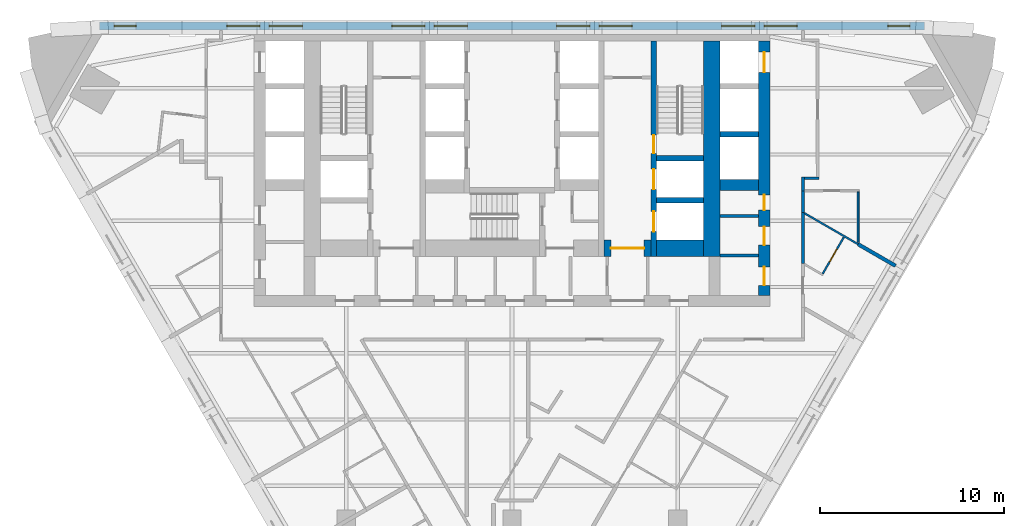
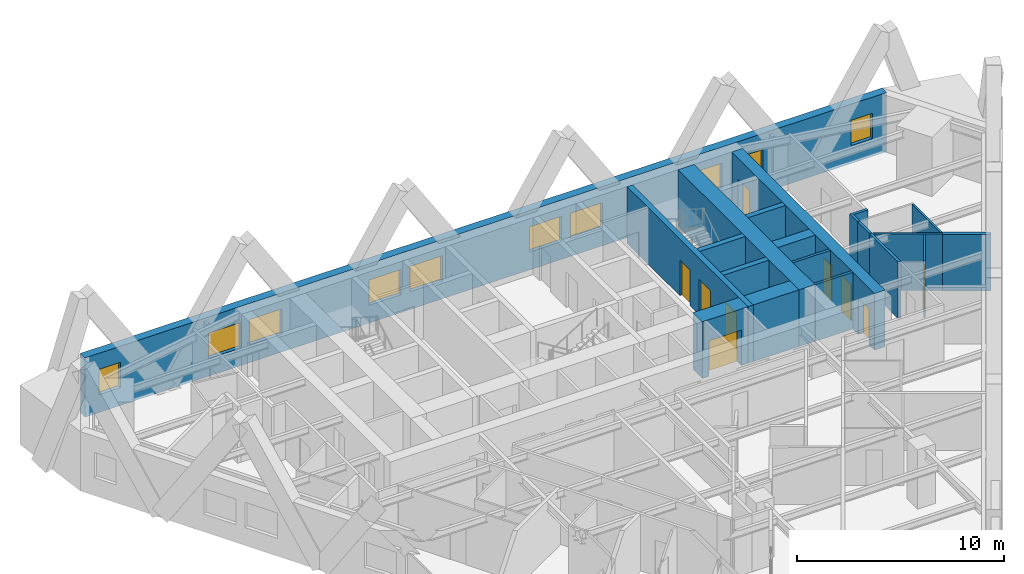
# One storey, part 9 of 12: 20 walls, 10 windows, 9 doors, 19 openings.
"""IFC4 building model written with IfcOpenShell, lengths in metres."""

from ifc_helpers import new_model, si_unit, direction, frame, frame_2d, origin, place, context, subcontext, project, spatial, polyline, rectangle, outline, extrude, material, layer, layer_set, type_object, element, fill, save


model = new_model("IFC4")

# Units and contexts
model_context = context("Model", 3, precision=1e-05, world=origin(), true_north=direction((0.0, 1.0)))
body_context = subcontext(model_context, "Body", "Model", "MODEL_VIEW")
ifc_project = project(units=[si_unit("LENGTHUNIT", "METRE"), si_unit("AREAUNIT", "SQUARE_METRE"), si_unit("VOLUMEUNIT", "CUBIC_METRE"), si_unit("PLANEANGLEUNIT", "RADIAN"), si_unit("MASSUNIT", "GRAM", prefix="KILO")], contexts=[model_context])

# Site, building, storey
site_placement = place(None, origin())
site = spatial("IfcSite", under=ifc_project, at=site_placement, CompositionType="ELEMENT")
building_placement = place(site_placement, origin())
building = spatial("IfcBuilding", under=site, at=building_placement, Name="Aloe Facet Convention Tower", CompositionType="ELEMENT")
storey_placement = place(building_placement, frame((0.0, 0.0, 70.0)))
storey = spatial("IfcBuildingStorey", under=building, at=storey_placement, Name="L16", CompositionType="ELEMENT", Elevation=70.0)

# Walls
ifc_material_1 = material(Name="Concrete blockwork partition", Category="masonry")
ifc_layer_1 = layer(ifc_material_1, 0.14990234375)
ifc_layer_set_1 = layer_set([ifc_layer_1], Name="CR-W-PART150")
wall_type_1 = type_object("IfcWallType", Name="CR-W-PART150", PredefinedType="PARTITIONING", material=ifc_layer_set_1)
for number, where, z_axis, x_axis, name in (
    (1, (91.300048828125, 124.44873046875, 0.0), (0.0, 0.0, 1.0), (1.0, 0.0, 0.0), "Core partition L16-051"),
    (2, (91.300048828125, 122.309326171875, 0.0), (0.0, 0.0, 1.0), (1.0, 0.0, 0.0), "Core partition L16-052"),
):
    element("IfcWall", number, at=place(storey_placement, frame(where, z_axis=z_axis, x_axis=x_axis)), inside=storey, type_object=wall_type_1, Name=name, PredefinedType="PARTITIONING", context=body_context, shape_type="SweptSolid", body=[
        extrude(rectangle(XDim=2.099853515625, YDim=0.14990234375, at=frame_2d((1.0498046875, 0.0))), origin(), (0.0, 0.0, 1.0), 3.35009765625),
    ])

# Wall, openings, doors
ifc_material_2 = material(Name="Concrete C80/95", Category="concrete")
ifc_layer_2 = layer(ifc_material_2, 0.300048828125)
ifc_layer_set_2 = layer_set([ifc_layer_2], Name="CR-W-RC300-C8095")
wall_type_2 = type_object("IfcWallType", Name="CR-W-RC300-C8095", PredefinedType="SOLIDWALL", material=ifc_layer_set_2)
wall_1_placement = place(storey_placement, frame((87.699951171875, 133.949951171875, 0.0), z_axis=(0.0, 0.0, 1.0), x_axis=(0.0, -1.0, 0.0)))
wall_1 = element("IfcWall", 3, at=wall_1_placement, inside=storey, type_object=wall_type_2, Name="Core wall L16-042", PredefinedType="SOLIDWALL", context=body_context, shape_type="SweptSolid", body=[
    extrude(rectangle(XDim=11.699951171875, YDim=0.300048828125, at=frame_2d((5.85009765625, 0.0))), origin(), (0.0, 0.0, 1.0), 3.35009765625),
])
opening_1_placement = place(wall_1_placement, frame((6.949951171875, 0.0, 0.0)))
opening_1 = element("IfcOpeningElement", 4, at=opening_1_placement, cuts=wall_1, Name="Opening LD-FF2-L16", PredefinedType="OPENING", context=body_context, shape_type="SweptSolid", body=[
    extrude(rectangle(XDim=1.10009765625, YDim=2.10009765625, at=frame_2d((0.550048828125, 1.050048828125))), frame((0.0, 0.16015625, 0.0), z_axis=(0.0, -1.0, 0.0), x_axis=(1.0, 0.0, 0.0)), (0.0, 0.0, 1.0), 0.320068359375),
])
opening_2_placement = place(wall_1_placement, frame((5.10009765625, 0.0, 0.0)))
opening_2 = element("IfcOpeningElement", 5, at=opening_2_placement, cuts=wall_1, Name="Opening L16-CD31", PredefinedType="OPENING", context=body_context, shape_type="SweptSolid", body=[
    extrude(rectangle(XDim=1.0, YDim=2.10009765625, at=frame_2d((0.5, 1.050048828125))), frame((0.0, 0.16015625, 0.0), z_axis=(0.0, -1.0, 0.0), x_axis=(1.0, 0.0, 0.0)), (0.0, 0.0, 1.0), 0.320068359375),
])
opening_3_placement = place(wall_1_placement, frame((9.25, 0.0, 0.0)))
opening_3 = element("IfcOpeningElement", 6, at=opening_3_placement, cuts=wall_1, Name="Opening LD-SV1-L16", PredefinedType="OPENING", context=body_context, shape_type="SweptSolid", body=[
    extrude(rectangle(XDim=1.10009765625, YDim=2.10009765625, at=frame_2d((0.550048828125, 1.050048828125))), frame((0.0, 0.16015625, 0.0), z_axis=(0.0, -1.0, 0.0), x_axis=(1.0, 0.0, 0.0)), (0.0, 0.0, 1.0), 0.320068359375),
])
ifc_material_3 = material(Name="Steel fire-resisting door set FD120", Category="steel")
door_type_1 = type_object("IfcDoorType", Name="CR-D-STAIR-1000-FD120-SLEFT", OperationType="SINGLE_SWING_LEFT", PredefinedType="DOOR", material=ifc_material_3)
door_1_placement = place(opening_2_placement, origin())
door_1 = element("IfcDoor", 7, at=door_1_placement, inside=storey, type_object=door_type_1, Name="Core door L16-CD31", OperationType="SINGLE_SWING_LEFT", OverallHeight=2.10009765625, OverallWidth=1.0, PredefinedType="DOOR", context=body_context, shape_type="SweptSolid", body=[
    extrude(rectangle(XDim=1.0, YDim=2.10009765625, at=frame_2d((0.5, 1.050048828125))), frame((0.0, 0.02490234375, 0.0), z_axis=(0.0, -1.0, 0.0), x_axis=(1.0, 0.0, 0.0)), (0.0, 0.0, 1.0), 0.050048828125),
])
fill(opening_2, door_1)
ifc_material_4 = material(Name="Stainless steel sliding landing door", Category="steel")
door_type_2 = type_object("IfcDoorType", Name="CR-LD-1100-FD120-_LEFT", OperationType="SLIDING_TO_LEFT", PredefinedType="DOOR", material=ifc_material_4)
door_2_placement = place(opening_1_placement, origin())
door_2 = element("IfcDoor", 8, at=door_2_placement, inside=storey, type_object=door_type_2, Name="Landing door FF2 L16", OperationType="SLIDING_TO_LEFT", OverallHeight=2.10009765625, OverallWidth=1.10009765625, PredefinedType="DOOR", context=body_context, shape_type="SweptSolid", body=[
    extrude(rectangle(XDim=1.10009765625, YDim=2.10009765625, at=frame_2d((0.550048828125, 1.050048828125))), frame((0.0, 0.02490234375, 0.0), z_axis=(0.0, -1.0, 0.0), x_axis=(1.0, 0.0, 0.0)), (0.0, 0.0, 1.0), 0.050048828125),
])
fill(opening_1, door_2)
door_3_placement = place(opening_3_placement, origin())
door_3 = element("IfcDoor", 9, at=door_3_placement, inside=storey, type_object=door_type_2, Name="Landing door SV1 L16", OperationType="SLIDING_TO_LEFT", OverallHeight=2.10009765625, OverallWidth=1.10009765625, PredefinedType="DOOR", context=body_context, shape_type="SweptSolid", body=[
    extrude(rectangle(XDim=1.10009765625, YDim=2.10009765625, at=frame_2d((0.550048828125, 1.050048828125))), frame((0.0, 0.02490234375, 0.0), z_axis=(0.0, -1.0, 0.0), x_axis=(1.0, 0.0, 0.0)), (0.0, 0.0, 1.0), 0.050048828125),
])
fill(opening_3, door_3)

# Walls
for number, where, z_axis, x_axis, name in (
    (10, (87.85009765625, 127.60009765625, 0.0), (0.0, 0.0, 1.0), (1.0, 0.0, 0.0), "Core wall L16-043"),
    (11, (87.85009765625, 125.300048828125, 0.0), (0.0, 0.0, 1.0), (1.0, 0.0, 0.0), "Core wall L16-044"),
):
    element("IfcWall", number, at=place(storey_placement, frame(where, z_axis=z_axis, x_axis=x_axis)), inside=storey, type_object=wall_type_2, Name=name, PredefinedType="SOLIDWALL", context=body_context, shape_type="SweptSolid", body=[
        extrude(rectangle(XDim=2.5498046875, YDim=0.300048828125, at=frame_2d((1.27490234375, 0.0))), origin(), (0.0, 0.0, 1.0), 3.35009765625),
    ])
wall_2_placement = place(storey_placement, frame((91.300048828125, 128.89990234375, 0.0), z_axis=(0.0, 0.0, 1.0), x_axis=(1.0, 0.0, 0.0)))
element("IfcWall", 12, at=wall_2_placement, inside=storey, type_object=wall_type_2, Name="Core wall L16-049", PredefinedType="SOLIDWALL", context=body_context, shape_type="SweptSolid", body=[
    extrude(rectangle(XDim=2.099853515625, YDim=0.300048828125, at=frame_2d((1.0498046875, 0.0))), origin(), (0.0, 0.0, 1.0), 3.35009765625),
])
ifc_material_5 = material(Name="Concrete C80/95", Category="concrete")
ifc_layer_3 = layer(ifc_material_5, 0.60009765625)
ifc_layer_set_3 = layer_set([ifc_layer_3], Name="CR-W-RC600-C8095")
wall_type_3 = type_object("IfcWallType", Name="CR-W-RC600-C8095", PredefinedType="SOLIDWALL", material=ifc_layer_set_3)
wall_3_placement = place(storey_placement, frame((91.300048828125, 126.14990234375, 0.0), z_axis=(0.0, 0.0, 1.0), x_axis=(1.0, 0.0, 0.0)))
element("IfcWall", 13, at=wall_3_placement, inside=storey, type_object=wall_type_3, Name="Core wall L16-050", PredefinedType="SOLIDWALL", context=body_context, shape_type="SweptSolid", body=[
    extrude(rectangle(XDim=2.099853515625, YDim=0.60009765625, at=frame_2d((1.0498046875, 0.0))), origin(), (0.0, 0.0, 1.0), 3.35009765625),
])

# Wall, openings, doors
wall_4_placement = place(storey_placement, frame((93.699951171875, 133.949951171875, 0.0), z_axis=(0.0, 0.0, 1.0), x_axis=(0.0, -1.0, 0.0)))
wall_4 = element("IfcWall", 14, at=wall_4_placement, inside=storey, type_object=wall_type_3, Name="Core wall L16-053", PredefinedType="SOLIDWALL", context=body_context, shape_type="SweptSolid", body=[
    extrude(rectangle(XDim=13.800048828125, YDim=0.60009765625, at=frame_2d((6.89990234375, 0.0))), origin(), (0.0, 0.0, 1.0), 3.35009765625),
])
opening_4_placement = place(wall_4_placement, frame((0.60009765625, 0.0, 0.0)))
opening_4 = element("IfcOpeningElement", 15, at=opening_4_placement, cuts=wall_4, Name="Opening LD-A8-L16", PredefinedType="OPENING", context=body_context, shape_type="SweptSolid", body=[
    extrude(rectangle(XDim=1.10009765625, YDim=2.10009765625, at=frame_2d((0.550048828125, 1.050048828125))), frame((0.0, 0.31005859375, 0.0), z_axis=(0.0, -1.0, 0.0), x_axis=(1.0, 0.0, 0.0)), (0.0, 0.0, 1.0), 0.6201171875),
])
opening_5_placement = place(wall_4_placement, frame((8.35009765625, 0.0, 0.0)))
opening_5 = element("IfcOpeningElement", 16, at=opening_5_placement, cuts=wall_4, Name="Opening L16-CD09", PredefinedType="OPENING", context=body_context, shape_type="SweptSolid", body=[
    extrude(rectangle(XDim=0.826416015625, YDim=2.10009765625, at=frame_2d((0.4130859375, 1.050048828125))), frame((0.0, 0.31005859375, 0.0), z_axis=(0.0, -1.0, 0.0), x_axis=(1.0, 0.0, 0.0)), (0.0, 0.0, 1.0), 0.6201171875),
])
opening_6_placement = place(wall_4_placement, frame((10.071044921875, 0.0, 0.0)))
opening_6 = element("IfcOpeningElement", 17, at=opening_6_placement, cuts=wall_4, Name="Opening L16-CD10", PredefinedType="OPENING", context=body_context, shape_type="SweptSolid", body=[
    extrude(rectangle(XDim=1.0, YDim=2.10009765625, at=frame_2d((0.5, 1.050048828125))), frame((0.0, 0.31005859375, 0.0), z_axis=(0.0, -1.0, 0.0), x_axis=(1.0, 0.0, 0.0)), (0.0, 0.0, 1.0), 0.6201171875),
])
opening_7_placement = place(wall_4_placement, frame((12.2578125, 0.0, 0.0)))
opening_7 = element("IfcOpeningElement", 18, at=opening_7_placement, cuts=wall_4, Name="Opening L16-CD11", PredefinedType="OPENING", context=body_context, shape_type="SweptSolid", body=[
    extrude(rectangle(XDim=1.0, YDim=2.10009765625, at=frame_2d((0.5, 1.050048828125))), frame((0.0, 0.31005859375, 0.0), z_axis=(0.0, -1.0, 0.0), x_axis=(1.0, 0.0, 0.0)), (0.0, 0.0, 1.0), 0.6201171875),
])
ifc_material_6 = material(Name="Steel fire-resisting door set FD60", Category="steel")
door_type_3 = type_object("IfcDoorType", Name="CR-D-ROOM-1000-FD60-SLEFT", OperationType="SINGLE_SWING_LEFT", PredefinedType="DOOR", material=ifc_material_6)
door_4_placement = place(opening_6_placement, origin())
door_4 = element("IfcDoor", 19, at=door_4_placement, inside=storey, type_object=door_type_3, Name="Core door L16-CD10", OperationType="SINGLE_SWING_LEFT", OverallHeight=2.10009765625, OverallWidth=1.0, PredefinedType="DOOR", context=body_context, shape_type="SweptSolid", body=[
    extrude(rectangle(XDim=1.0, YDim=2.10009765625, at=frame_2d((0.5, 1.050048828125))), frame((0.0, 0.02490234375, 0.0), z_axis=(0.0, -1.0, 0.0), x_axis=(1.0, 0.0, 0.0)), (0.0, 0.0, 1.0), 0.050048828125),
])
fill(opening_6, door_4)
door_5_placement = place(opening_7_placement, origin())
door_5 = element("IfcDoor", 20, at=door_5_placement, inside=storey, type_object=door_type_3, Name="Core door L16-CD11", OperationType="SINGLE_SWING_LEFT", OverallHeight=2.10009765625, OverallWidth=1.0, PredefinedType="DOOR", context=body_context, shape_type="SweptSolid", body=[
    extrude(rectangle(XDim=1.0, YDim=2.10009765625, at=frame_2d((0.5, 1.050048828125))), frame((0.0, 0.02490234375, 0.0), z_axis=(0.0, -1.0, 0.0), x_axis=(1.0, 0.0, 0.0)), (0.0, 0.0, 1.0), 0.050048828125),
])
fill(opening_7, door_5)
ifc_material_7 = material(Name="Steel fire-resisting door set FD60", Category="steel")
door_type_4 = type_object("IfcDoorType", Name="CR-D-ROOM-826-FD60-SLEFT", OperationType="SINGLE_SWING_LEFT", PredefinedType="DOOR", material=ifc_material_7)
door_6_placement = place(opening_5_placement, origin())
door_6 = element("IfcDoor", 21, at=door_6_placement, inside=storey, type_object=door_type_4, Name="Core door L16-CD09", OperationType="SINGLE_SWING_LEFT", OverallHeight=2.10009765625, OverallWidth=0.826416015625, PredefinedType="DOOR", context=body_context, shape_type="SweptSolid", body=[
    extrude(rectangle(XDim=0.826416015625, YDim=2.10009765625, at=frame_2d((0.4130859375, 1.050048828125))), frame((0.0, 0.02490234375, 0.0), z_axis=(0.0, -1.0, 0.0), x_axis=(1.0, 0.0, 0.0)), (0.0, 0.0, 1.0), 0.050048828125),
])
fill(opening_5, door_6)
ifc_material_8 = material(Name="Stainless steel sliding landing door", Category="steel")
door_type_5 = type_object("IfcDoorType", Name="CR-LD-1100-FD60-_LEFT", OperationType="SLIDING_TO_LEFT", PredefinedType="DOOR", material=ifc_material_8)
door_7_placement = place(opening_4_placement, origin())
door_7 = element("IfcDoor", 22, at=door_7_placement, inside=storey, type_object=door_type_5, Name="Landing door A8 L16", OperationType="SLIDING_TO_LEFT", OverallHeight=2.10009765625, OverallWidth=1.10009765625, PredefinedType="DOOR", context=body_context, shape_type="SweptSolid", body=[
    extrude(rectangle(XDim=1.10009765625, YDim=2.10009765625, at=frame_2d((0.550048828125, 1.050048828125))), frame((0.0, 0.02490234375, 0.0), z_axis=(0.0, -1.0, 0.0), x_axis=(1.0, 0.0, 0.0)), (0.0, 0.0, 1.0), 0.050048828125),
])
fill(opening_4, door_7)

# Wall, opening, door
ifc_material_9 = material(Name="Concrete C80/95", Category="concrete")
ifc_layer_4 = layer(ifc_material_9, 0.89990234375)
ifc_layer_set_4 = layer_set([ifc_layer_4], Name="CR-W-RC900-C8095")
wall_type_4 = type_object("IfcWallType", Name="CR-W-RC900-C8095", PredefinedType="SOLIDWALL", material=ifc_layer_set_4)
wall_5_placement = place(storey_placement, frame((85.0, 122.699951171875, 0.0), z_axis=(0.0, 0.0, 1.0), x_axis=(1.0, 0.0, 0.0)))
wall_5 = element("IfcWall", 23, at=wall_5_placement, inside=storey, type_object=wall_type_4, Name="Core wall L16-039", PredefinedType="SOLIDWALL", context=body_context, shape_type="SweptSolid", body=[
    extrude(rectangle(XDim=2.550048828125, YDim=0.89990234375, at=frame_2d((1.27490234375, 0.0))), origin(), (0.0, 0.0, 1.0), 3.35009765625),
])
opening_8_placement = place(wall_5_placement, frame((0.375, 0.0, 0.0)))
opening_8 = element("IfcOpeningElement", 24, at=opening_8_placement, cuts=wall_5, Name="Opening L16-CD14", PredefinedType="OPENING", context=body_context, shape_type="SweptSolid", body=[
    extrude(rectangle(XDim=1.800048828125, YDim=2.10009765625, at=frame_2d((0.89990234375, 1.050048828125))), frame((0.0, 0.4599609375, 0.0), z_axis=(0.0, -1.0, 0.0), x_axis=(1.0, 0.0, 0.0)), (0.0, 0.0, 1.0), 0.919921875),
])
ifc_material_10 = material(Name="Steel fire-resisting door set FD120", Category="steel")
door_type_6 = type_object("IfcDoorType", Name="CR-D-EXIT-1800-FD120-DD", OperationType="DOUBLE_DOOR_DOUBLE_SWING", PredefinedType="DOOR", material=ifc_material_10)
door_8_placement = place(opening_8_placement, origin())
door_8 = element("IfcDoor", 25, at=door_8_placement, inside=storey, type_object=door_type_6, Name="Core door L16-CD14", OperationType="DOUBLE_DOOR_DOUBLE_SWING", OverallHeight=2.10009765625, OverallWidth=1.800048828125, PredefinedType="DOOR", context=body_context, shape_type="SweptSolid", body=[
    extrude(rectangle(XDim=1.800048828125, YDim=2.10009765625, at=frame_2d((0.89990234375, 1.050048828125))), frame((0.0, 0.02490234375, 0.0), z_axis=(0.0, -1.0, 0.0), x_axis=(1.0, 0.0, 0.0)), (0.0, 0.0, 1.0), 0.050048828125),
])
fill(opening_8, door_8)

# Walls
wall_6_placement = place(storey_placement, frame((87.85009765625, 122.699951171875, 0.0), z_axis=(0.0, 0.0, 1.0), x_axis=(1.0, 0.0, 0.0)))
element("IfcWall", 26, at=wall_6_placement, inside=storey, type_object=wall_type_4, Name="Core wall L16-045", PredefinedType="SOLIDWALL", context=body_context, shape_type="SweptSolid", body=[
    extrude(rectangle(XDim=2.5498046875, YDim=0.89990234375, at=frame_2d((1.27490234375, 0.0))), origin(), (0.0, 0.0, 1.0), 3.35009765625),
])
wall_7_placement = place(storey_placement, frame((90.85009765625, 133.949951171875, 0.0), z_axis=(0.0, 0.0, 1.0), x_axis=(0.0, -1.0, 0.0)))
element("IfcWall", 27, at=wall_7_placement, inside=storey, type_object=wall_type_4, Name="Core wall L16-046", PredefinedType="SOLIDWALL", context=body_context, shape_type="SweptSolid", body=[
    extrude(rectangle(XDim=11.699951171875, YDim=0.89990234375, at=frame_2d((5.85009765625, 0.0))), origin(), (0.0, 0.0, 1.0), 3.35009765625),
])

# Wall, openings, windows
ifc_material_11 = material(Name="Precast concrete C40/50", Category="concrete")
ifc_layer_5 = layer(ifc_material_11, 0.449951171875)
ifc_layer_set_5 = layer_set([ifc_layer_5], Name="EV-WALL-STONE")
wall_type_5 = type_object("IfcWallType", Name="EV-WALL-STONE", PredefinedType="SOLIDWALL", material=ifc_layer_set_5)
wall_8_placement = place(storey_placement, frame((102.39990234375, 134.77490234375, -0.14990234375), z_axis=(0.0, 0.0, 1.0), x_axis=(-1.0, 0.0, 0.0)))
wall_8 = element("IfcWall", 28, at=wall_8_placement, inside=storey, type_object=wall_type_5, Name="EW-L16-N01", PredefinedType="SOLIDWALL", context=body_context, shape_type="SweptSolid", body=[
    extrude(outline(polyline([(44.800048828125, 0.0), (44.800048828125, 3.5), (0.0, 3.5), (0.0, 0.0), (44.800048828125, 0.0)])), frame((0.0, 0.22509765625, 0.0), z_axis=(0.0, -1.0, 0.0), x_axis=(1.0, 0.0, 0.0)), (0.0, 0.0, 1.0), 0.449951171875),
])
opening_9_placement = place(wall_8_placement, frame((0.7861328125, 0.0, 1.050048828125)))
opening_9 = element("IfcOpeningElement", 29, at=opening_9_placement, cuts=wall_8, Name="Opening W-L16-N01", PredefinedType="OPENING", context=body_context, shape_type="SweptSolid", body=[
    extrude(rectangle(XDim=1.199951171875, YDim=1.5, at=frame_2d((0.60009765625, 0.75))), frame((0.0, 0.23486328125, 0.0), z_axis=(0.0, -1.0, 0.0), x_axis=(1.0, 0.0, 0.0)), (0.0, 0.0, 1.0), 0.469970703125),
])
opening_10_placement = place(wall_8_placement, frame((6.909912109375, 0.0, 1.050048828125)))
opening_10 = element("IfcOpeningElement", 30, at=opening_10_placement, cuts=wall_8, Name="Opening W-L16-N02", PredefinedType="OPENING", context=body_context, shape_type="SweptSolid", body=[
    extrude(rectangle(XDim=1.800048828125, YDim=1.5, at=frame_2d((0.89990234375, 0.75))), frame((0.0, 0.23486328125, 0.0), z_axis=(0.0, -1.0, 0.0), x_axis=(1.0, 0.0, 0.0)), (0.0, 0.0, 1.0), 0.469970703125),
])
opening_11_placement = place(wall_8_placement, frame((9.2099609375, 0.0, 1.050048828125)))
opening_11 = element("IfcOpeningElement", 31, at=opening_11_placement, cuts=wall_8, Name="Opening W-L16-N03", PredefinedType="OPENING", context=body_context, shape_type="SweptSolid", body=[
    extrude(rectangle(XDim=1.800048828125, YDim=1.5, at=frame_2d((0.89990234375, 0.75))), frame((0.0, 0.23486328125, 0.0), z_axis=(0.0, -1.0, 0.0), x_axis=(1.0, 0.0, 0.0)), (0.0, 0.0, 1.0), 0.469970703125),
])
opening_12_placement = place(wall_8_placement, frame((15.8701171875, 0.0, 1.050048828125)))
opening_12 = element("IfcOpeningElement", 32, at=opening_12_placement, cuts=wall_8, Name="Opening W-L16-N04", PredefinedType="OPENING", context=body_context, shape_type="SweptSolid", body=[
    extrude(rectangle(XDim=1.800048828125, YDim=1.5, at=frame_2d((0.89990234375, 0.75))), frame((0.0, 0.23486328125, 0.0), z_axis=(0.0, -1.0, 0.0), x_axis=(1.0, 0.0, 0.0)), (0.0, 0.0, 1.0), 0.469970703125),
])
opening_13_placement = place(wall_8_placement, frame((18.169921875, 0.0, 1.050048828125)))
opening_13 = element("IfcOpeningElement", 33, at=opening_13_placement, cuts=wall_8, Name="Opening W-L16-N05", PredefinedType="OPENING", context=body_context, shape_type="SweptSolid", body=[
    extrude(rectangle(XDim=1.800048828125, YDim=1.5, at=frame_2d((0.89990234375, 0.75))), frame((0.0, 0.23486328125, 0.0), z_axis=(0.0, -1.0, 0.0), x_axis=(1.0, 0.0, 0.0)), (0.0, 0.0, 1.0), 0.469970703125),
])
opening_14_placement = place(wall_8_placement, frame((24.830078125, 0.0, 1.050048828125)))
opening_14 = element("IfcOpeningElement", 34, at=opening_14_placement, cuts=wall_8, Name="Opening W-L16-N06", PredefinedType="OPENING", context=body_context, shape_type="SweptSolid", body=[
    extrude(rectangle(XDim=1.800048828125, YDim=1.5, at=frame_2d((0.89990234375, 0.75))), frame((0.0, 0.23486328125, 0.0), z_axis=(0.0, -1.0, 0.0), x_axis=(1.0, 0.0, 0.0)), (0.0, 0.0, 1.0), 0.469970703125),
])
opening_15_placement = place(wall_8_placement, frame((27.1298828125, 0.0, 1.050048828125)))
opening_15 = element("IfcOpeningElement", 35, at=opening_15_placement, cuts=wall_8, Name="Opening W-L16-N07", PredefinedType="OPENING", context=body_context, shape_type="SweptSolid", body=[
    extrude(rectangle(XDim=1.800048828125, YDim=1.5, at=frame_2d((0.89990234375, 0.75))), frame((0.0, 0.23486328125, 0.0), z_axis=(0.0, -1.0, 0.0), x_axis=(1.0, 0.0, 0.0)), (0.0, 0.0, 1.0), 0.469970703125),
])
opening_16_placement = place(wall_8_placement, frame((33.7900390625, 0.0, 1.050048828125)))
opening_16 = element("IfcOpeningElement", 36, at=opening_16_placement, cuts=wall_8, Name="Opening W-L16-N08", PredefinedType="OPENING", context=body_context, shape_type="SweptSolid", body=[
    extrude(rectangle(XDim=1.800048828125, YDim=1.5, at=frame_2d((0.89990234375, 0.75))), frame((0.0, 0.23486328125, 0.0), z_axis=(0.0, -1.0, 0.0), x_axis=(1.0, 0.0, 0.0)), (0.0, 0.0, 1.0), 0.469970703125),
])
opening_17_placement = place(wall_8_placement, frame((36.090087890625, 0.0, 1.050048828125)))
opening_17 = element("IfcOpeningElement", 37, at=opening_17_placement, cuts=wall_8, Name="Opening W-L16-N09", PredefinedType="OPENING", context=body_context, shape_type="SweptSolid", body=[
    extrude(rectangle(XDim=1.800048828125, YDim=1.5, at=frame_2d((0.89990234375, 0.75))), frame((0.0, 0.23486328125, 0.0), z_axis=(0.0, -1.0, 0.0), x_axis=(1.0, 0.0, 0.0)), (0.0, 0.0, 1.0), 0.469970703125),
])
opening_18_placement = place(wall_8_placement, frame((42.81396484375, 0.0, 1.050048828125)))
opening_18 = element("IfcOpeningElement", 38, at=opening_18_placement, cuts=wall_8, Name="Opening W-L16-N10", PredefinedType="OPENING", context=body_context, shape_type="SweptSolid", body=[
    extrude(rectangle(XDim=1.199951171875, YDim=1.5, at=frame_2d((0.60009765625, 0.75))), frame((0.0, 0.23486328125, 0.0), z_axis=(0.0, -1.0, 0.0), x_axis=(1.0, 0.0, 0.0)), (0.0, 0.0, 1.0), 0.469970703125),
])
ifc_material_12 = material(Name="Aluminium frame, clear double glazing", Category="aluminium")
window_type_1 = type_object("IfcWindowType", Name="EV-WIN-H12", PartitioningType="SINGLE_PANEL", PredefinedType="WINDOW", material=ifc_material_12)
window_1_placement = place(opening_9_placement, origin())
window_1 = element("IfcWindow", 39, at=window_1_placement, inside=storey, type_object=window_type_1, Name="W-L16-N01", OverallHeight=1.5, OverallWidth=1.199951171875, PartitioningType="SINGLE_PANEL", PredefinedType="WINDOW", context=body_context, shape_type="SweptSolid", body=[
    extrude(rectangle(XDim=1.199951171875, YDim=1.5, at=frame_2d((0.60009765625, 0.75))), frame((0.0, 0.030029296875, 0.0), z_axis=(0.0, -1.0, 0.0), x_axis=(1.0, 0.0, 0.0)), (0.0, 0.0, 1.0), 0.06005859375),
])
fill(opening_9, window_1)
window_2_placement = place(opening_18_placement, origin())
window_2 = element("IfcWindow", 40, at=window_2_placement, inside=storey, type_object=window_type_1, Name="W-L16-N10", OverallHeight=1.5, OverallWidth=1.199951171875, PartitioningType="SINGLE_PANEL", PredefinedType="WINDOW", context=body_context, shape_type="SweptSolid", body=[
    extrude(rectangle(XDim=1.199951171875, YDim=1.5, at=frame_2d((0.60009765625, 0.75))), frame((0.0, 0.030029296875, 0.0), z_axis=(0.0, -1.0, 0.0), x_axis=(1.0, 0.0, 0.0)), (0.0, 0.0, 1.0), 0.06005859375),
])
fill(opening_18, window_2)
ifc_material_13 = material(Name="Aluminium frame, clear double glazing", Category="aluminium")
window_type_2 = type_object("IfcWindowType", Name="EV-WIN-H18", PartitioningType="SINGLE_PANEL", PredefinedType="WINDOW", material=ifc_material_13)
window_3_placement = place(opening_10_placement, origin())
window_3 = element("IfcWindow", 41, at=window_3_placement, inside=storey, type_object=window_type_2, Name="W-L16-N02", OverallHeight=1.5, OverallWidth=1.800048828125, PartitioningType="SINGLE_PANEL", PredefinedType="WINDOW", context=body_context, shape_type="SweptSolid", body=[
    extrude(rectangle(XDim=1.800048828125, YDim=1.5, at=frame_2d((0.89990234375, 0.75))), frame((0.0, 0.030029296875, 0.0), z_axis=(0.0, -1.0, 0.0), x_axis=(1.0, 0.0, 0.0)), (0.0, 0.0, 1.0), 0.06005859375),
])
fill(opening_10, window_3)
window_4_placement = place(opening_11_placement, origin())
window_4 = element("IfcWindow", 42, at=window_4_placement, inside=storey, type_object=window_type_2, Name="W-L16-N03", OverallHeight=1.5, OverallWidth=1.800048828125, PartitioningType="SINGLE_PANEL", PredefinedType="WINDOW", context=body_context, shape_type="SweptSolid", body=[
    extrude(rectangle(XDim=1.800048828125, YDim=1.5, at=frame_2d((0.89990234375, 0.75))), frame((0.0, 0.030029296875, 0.0), z_axis=(0.0, -1.0, 0.0), x_axis=(1.0, 0.0, 0.0)), (0.0, 0.0, 1.0), 0.06005859375),
])
fill(opening_11, window_4)
window_5_placement = place(opening_12_placement, origin())
window_5 = element("IfcWindow", 43, at=window_5_placement, inside=storey, type_object=window_type_2, Name="W-L16-N04", OverallHeight=1.5, OverallWidth=1.800048828125, PartitioningType="SINGLE_PANEL", PredefinedType="WINDOW", context=body_context, shape_type="SweptSolid", body=[
    extrude(rectangle(XDim=1.800048828125, YDim=1.5, at=frame_2d((0.89990234375, 0.75))), frame((0.0, 0.030029296875, 0.0), z_axis=(0.0, -1.0, 0.0), x_axis=(1.0, 0.0, 0.0)), (0.0, 0.0, 1.0), 0.06005859375),
])
fill(opening_12, window_5)
window_6_placement = place(opening_13_placement, origin())
window_6 = element("IfcWindow", 44, at=window_6_placement, inside=storey, type_object=window_type_2, Name="W-L16-N05", OverallHeight=1.5, OverallWidth=1.800048828125, PartitioningType="SINGLE_PANEL", PredefinedType="WINDOW", context=body_context, shape_type="SweptSolid", body=[
    extrude(rectangle(XDim=1.800048828125, YDim=1.5, at=frame_2d((0.89990234375, 0.75))), frame((0.0, 0.030029296875, 0.0), z_axis=(0.0, -1.0, 0.0), x_axis=(1.0, 0.0, 0.0)), (0.0, 0.0, 1.0), 0.06005859375),
])
fill(opening_13, window_6)
window_7_placement = place(opening_14_placement, origin())
window_7 = element("IfcWindow", 45, at=window_7_placement, inside=storey, type_object=window_type_2, Name="W-L16-N06", OverallHeight=1.5, OverallWidth=1.800048828125, PartitioningType="SINGLE_PANEL", PredefinedType="WINDOW", context=body_context, shape_type="SweptSolid", body=[
    extrude(rectangle(XDim=1.800048828125, YDim=1.5, at=frame_2d((0.89990234375, 0.75))), frame((0.0, 0.030029296875, 0.0), z_axis=(0.0, -1.0, 0.0), x_axis=(1.0, 0.0, 0.0)), (0.0, 0.0, 1.0), 0.06005859375),
])
fill(opening_14, window_7)
window_8_placement = place(opening_15_placement, origin())
window_8 = element("IfcWindow", 46, at=window_8_placement, inside=storey, type_object=window_type_2, Name="W-L16-N07", OverallHeight=1.5, OverallWidth=1.800048828125, PartitioningType="SINGLE_PANEL", PredefinedType="WINDOW", context=body_context, shape_type="SweptSolid", body=[
    extrude(rectangle(XDim=1.800048828125, YDim=1.5, at=frame_2d((0.89990234375, 0.75))), frame((0.0, 0.030029296875, 0.0), z_axis=(0.0, -1.0, 0.0), x_axis=(1.0, 0.0, 0.0)), (0.0, 0.0, 1.0), 0.06005859375),
])
fill(opening_15, window_8)
window_9_placement = place(opening_16_placement, origin())
window_9 = element("IfcWindow", 47, at=window_9_placement, inside=storey, type_object=window_type_2, Name="W-L16-N08", OverallHeight=1.5, OverallWidth=1.800048828125, PartitioningType="SINGLE_PANEL", PredefinedType="WINDOW", context=body_context, shape_type="SweptSolid", body=[
    extrude(rectangle(XDim=1.800048828125, YDim=1.5, at=frame_2d((0.89990234375, 0.75))), frame((0.0, 0.030029296875, 0.0), z_axis=(0.0, -1.0, 0.0), x_axis=(1.0, 0.0, 0.0)), (0.0, 0.0, 1.0), 0.06005859375),
])
fill(opening_16, window_9)
window_10_placement = place(opening_17_placement, origin())
window_10 = element("IfcWindow", 48, at=window_10_placement, inside=storey, type_object=window_type_2, Name="W-L16-N09", OverallHeight=1.5, OverallWidth=1.800048828125, PartitioningType="SINGLE_PANEL", PredefinedType="WINDOW", context=body_context, shape_type="SweptSolid", body=[
    extrude(rectangle(XDim=1.800048828125, YDim=1.5, at=frame_2d((0.89990234375, 0.75))), frame((0.0, 0.030029296875, 0.0), z_axis=(0.0, -1.0, 0.0), x_axis=(1.0, 0.0, 0.0)), (0.0, 0.0, 1.0), 0.06005859375),
])
fill(opening_17, window_10)

# Walls
ifc_material_14 = material(Name="Gypsum board partition on steel studs", Category="steel")
ifc_layer_6 = layer(ifc_material_14, 0.14990234375)
ifc_layer_set_6 = layer_set([ifc_layer_6], Name="IN-W-CORR")
wall_type_6 = type_object("IfcWallType", Name="IN-W-CORR", PredefinedType="PARTITIONING", material=ifc_layer_set_6)
wall_9_placement = place(storey_placement, frame((95.800048828125, 121.882568359375, 0.0), z_axis=(0.0, 0.0, 1.0), x_axis=(0.0, 1.0, 0.0)))
element("IfcWall", 49, at=wall_9_placement, inside=storey, type_object=wall_type_6, Name="Partition L16-W084", PredefinedType="PARTITIONING", context=body_context, shape_type="SweptSolid", body=[
    extrude(rectangle(XDim=2.771240234375, YDim=0.14990234375, at=frame_2d((1.3857421875, 0.0))), origin(), (0.0, 0.0, 1.0), 3.35009765625),
])
wall_10_placement = place(storey_placement, frame((95.800048828125, 124.65380859375, 0.0), z_axis=(0.0, 0.0, 1.0), x_axis=(0.0, 1.0, 0.0)))
element("IfcWall", 50, at=wall_10_placement, inside=storey, type_object=wall_type_6, Name="Partition L16-W094", PredefinedType="PARTITIONING", context=body_context, shape_type="SweptSolid", body=[
    extrude(rectangle(XDim=1.16796875, YDim=0.14990234375, at=frame_2d((0.583984375, 0.0))), origin(), (0.0, 0.0, 1.0), 3.35009765625),
])
wall_11_placement = place(storey_placement, frame((95.800048828125, 125.82177734375, 0.0), z_axis=(0.0, 0.0, 1.0), x_axis=(0.0, 1.0, 0.0)))
element("IfcWall", 51, at=wall_11_placement, inside=storey, type_object=wall_type_6, Name="Partition L16-W100", PredefinedType="PARTITIONING", context=body_context, shape_type="SweptSolid", body=[
    extrude(rectangle(XDim=0.753173828125, YDim=0.14990234375, at=frame_2d((0.37646484375, 0.0))), origin(), (0.0, 0.0, 1.0), 3.35009765625),
])
wall_12_placement = place(storey_placement, frame((95.875, 126.5, 0.0), z_axis=(0.0, 0.0, 1.0), x_axis=(1.0, 0.0, 0.0)))
element("IfcWall", 52, at=wall_12_placement, inside=storey, type_object=wall_type_6, Name="Partition L16-W101", PredefinedType="PARTITIONING", context=body_context, shape_type="SweptSolid", body=[
    extrude(rectangle(XDim=0.800048828125, YDim=0.14990234375, at=frame_2d((0.39990234375, 0.0))), origin(), (0.0, 0.0, 1.0), 3.35009765625),
])
ifc_material_15 = material(Name="Gypsum board partition on steel studs", Category="steel")
ifc_layer_7 = layer(ifc_material_15, 0.10009765625)
ifc_layer_set_7 = layer_set([ifc_layer_7], Name="IN-W-PART")
wall_type_7 = type_object("IfcWallType", Name="IN-W-PART", PredefinedType="PARTITIONING", material=ifc_layer_set_7)
wall_13_placement = place(storey_placement, frame((95.88232421875, 124.6064453125, 0.0), z_axis=(0.0, 0.0, 1.0), x_axis=(0.866022675988, -0.500004724652, 0.0)))
element("IfcWall", 53, at=wall_13_placement, inside=storey, type_object=wall_type_7, Name="Partition L16-W089", PredefinedType="PARTITIONING", context=body_context, shape_type="SweptSolid", body=[
    extrude(rectangle(XDim=3.369140625, YDim=0.10009765625, at=frame_2d((1.6845703125, 0.0))), origin(), (0.0, 0.0, 1.0), 3.35009765625),
])

# Wall, opening, door
wall_14_placement = place(storey_placement, frame((96.876708984375, 121.318603515625, 0.0), z_axis=(0.0, 0.0, 1.0), x_axis=(0.499968531483, 0.866043571379, 0.0)))
wall_14 = element("IfcWall", 54, at=wall_14_placement, inside=storey, type_object=wall_type_7, Name="Partition L16-W090", PredefinedType="PARTITIONING", context=body_context, shape_type="SweptSolid", body=[
    extrude(rectangle(XDim=2.290283203125, YDim=0.10009765625, at=frame_2d((1.14501953125, 0.0))), origin(), (0.0, 0.0, 1.0), 3.35009765625),
])
opening_19_placement = place(wall_14_placement, frame((0.7451171875, 0.0, 0.0)))
opening_19 = element("IfcOpeningElement", 55, at=opening_19_placement, cuts=wall_14, Name="Opening L16-025", PredefinedType="OPENING", context=body_context, shape_type="SweptSolid", body=[
    extrude(rectangle(XDim=0.800048828125, YDim=2.10009765625, at=frame_2d((0.39990234375, 1.050048828125))), frame((0.0, 0.06005859375, 0.0), z_axis=(0.0, -1.0, 0.0), x_axis=(1.0, 0.0, 0.0)), (0.0, 0.0, 1.0), 0.1201171875),
])
ifc_material_16 = material(Name="Timber flush door", Category="wood")
door_type_7 = type_object("IfcDoorType", Name="IN-D-BATH", OperationType="SINGLE_SWING_LEFT", PredefinedType="DOOR", material=ifc_material_16)
door_9_placement = place(opening_19_placement, origin())
door_9 = element("IfcDoor", 56, at=door_9_placement, inside=storey, type_object=door_type_7, Name="Door L16-025", OperationType="SINGLE_SWING_LEFT", OverallHeight=2.10009765625, OverallWidth=0.800048828125, PredefinedType="DOOR", context=body_context, shape_type="SweptSolid", body=[
    extrude(rectangle(XDim=0.800048828125, YDim=2.10009765625, at=frame_2d((0.39990234375, 1.050048828125))), frame((0.0, 0.02490234375, 0.0), z_axis=(0.0, -1.0, 0.0), x_axis=(1.0, 0.0, 0.0)), (0.0, 0.0, 1.0), 0.050048828125),
])
fill(opening_19, door_9)

# Walls
wall_15_placement = place(storey_placement, frame((98.800048828125, 123.021728515625, 0.0), z_axis=(0.0, 0.0, 1.0), x_axis=(0.0, 1.0, 0.0)))
element("IfcWall", 57, at=wall_15_placement, inside=storey, type_object=wall_type_7, Name="Partition L16-W097", PredefinedType="PARTITIONING", context=body_context, shape_type="SweptSolid", body=[
    extrude(rectangle(XDim=2.75, YDim=0.10009765625, at=frame_2d((1.375, 0.0))), origin(), (0.0, 0.0, 1.0), 3.35009765625),
])
ifc_material_17 = material(Name="Gypsum board partition on steel studs", Category="steel")
ifc_layer_8 = layer(ifc_material_17, 0.199951171875)
ifc_layer_set_8 = layer_set([ifc_layer_8], Name="IN-W-PARTY")
wall_type_8 = type_object("IfcWallType", Name="IN-W-PARTY", PredefinedType="PARTITIONING", material=ifc_layer_set_8)
wall_16_placement = place(storey_placement, frame((98.800048828125, 122.921875, 0.0), z_axis=(0.0, 0.0, 1.0), x_axis=(0.866036444415, -0.49998087658, 0.0)))
element("IfcWall", 58, at=wall_16_placement, inside=storey, type_object=wall_type_8, Name="Partition L16-W091", PredefinedType="PARTITIONING", context=body_context, shape_type="SweptSolid", body=[
    extrude(rectangle(XDim=2.34423828125, YDim=0.199951171875, at=frame_2d((1.172119140625, 0.0))), origin(), (0.0, 0.0, 1.0), 3.35009765625),
])

save(model, "model.ifc")
